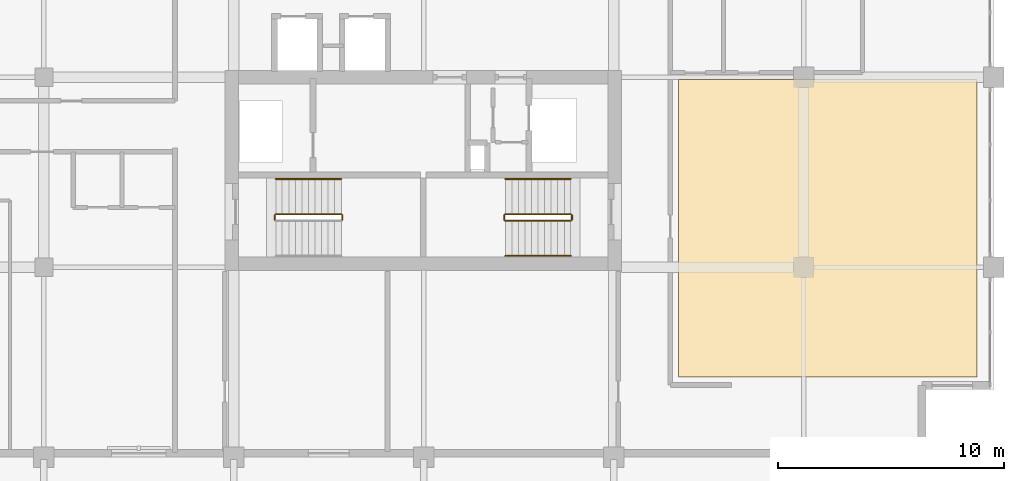
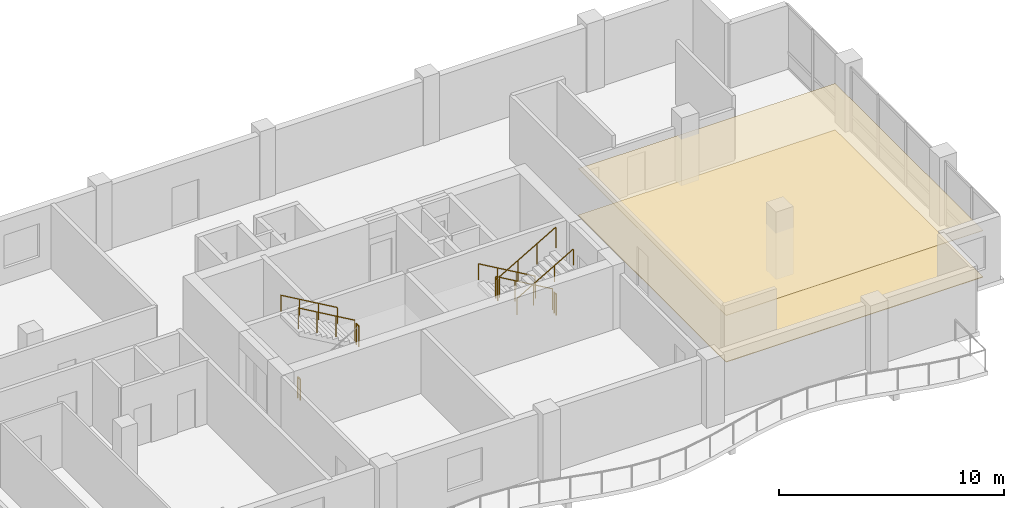
# One storey, part 14 of 16: 10 railings, 2 coverings.
"""IFC4 building model written with IfcOpenShell, lengths in metres."""

from ifc_helpers import new_model, si_unit, direction, frame, origin, origin_2d, place, context, subcontext, project, spatial, polyline, circle, outline, extrude, material, layer, layer_set, type_object, element, save


model = new_model("IFC4")

# Units and contexts
model_context = context("Model", 3, precision=1e-05, world=origin(), true_north=direction((0.0, 1.0)))
body_context = subcontext(model_context, "Body", "Model", "MODEL_VIEW")
ifc_project = project(units=[si_unit("LENGTHUNIT", "METRE"), si_unit("AREAUNIT", "SQUARE_METRE"), si_unit("VOLUMEUNIT", "CUBIC_METRE"), si_unit("PLANEANGLEUNIT", "RADIAN"), si_unit("MASSUNIT", "GRAM", prefix="KILO")], contexts=[model_context])

# Site, building, storey
site_placement = place(None, origin())
site = spatial("IfcSite", under=ifc_project, at=site_placement, CompositionType="ELEMENT")
building_placement = place(site_placement, origin())
building = spatial("IfcBuilding", under=site, at=building_placement, Name="Koriwani Terraces Tower", CompositionType="ELEMENT")
storey_placement = place(building_placement, frame((0.0, 0.0, 260.10009765625)))
storey = spatial("IfcBuildingStorey", under=building, at=storey_placement, Name="L64", CompositionType="ELEMENT", Elevation=260.10009765625)

# Coverings
ifc_material_1 = material(Name="Fire-Rated Acoustic Gypsum Partition", Category="masonry")
ifc_layer_1 = layer(ifc_material_1, 0.02490234375, Name="Fire-Rated Acoustic Gypsum Partition")
ifc_layer_set_1 = layer_set([ifc_layer_1], Name="Fire-Rated Acoustic Gypsum Partition")
covering_type_1 = type_object("IfcCoveringType", Name="CEILING_ACOUSTIC_GYPSUM", PredefinedType="CEILING", material=ifc_layer_set_1)
covering_1_placement = place(storey_placement, frame((0.0, 0.0, 2.52490234375)))
element("IfcCovering", 1, at=covering_1_placement, inside=storey, type_object=covering_type_1, Name="L64 Suspended Acoustic Gypsum Ceiling", PredefinedType="CEILING", context=body_context, shape_type="SweptSolid", body=[
    extrude(outline(polyline([(61.64990234375, 11.949951171875), (61.64990234375, 25.10009765625), (74.85009765625, 25.10009765625), (74.85009765625, 11.949951171875), (61.64990234375, 11.949951171875)])), origin(), (0.0, 0.0, 1.0), 0.02490234375),
])
ifc_material_2 = material(Name="Polished Andean Slate Flooring", Category="masonry")
ifc_layer_2 = layer(ifc_material_2, 0.030029296875, Name="Polished Andean Slate Flooring")
ifc_layer_set_2 = layer_set([ifc_layer_2], Name="Polished Andean Slate Flooring")
covering_type_2 = type_object("IfcCoveringType", Name="FLOORING_ANDEAN_STONE", PredefinedType="FLOORING", material=ifc_layer_set_2)
covering_2_placement = place(storey_placement, origin())
element("IfcCovering", 2, at=covering_2_placement, inside=storey, type_object=covering_type_2, Name="L64 Polished Andean Slate Floor Finish", PredefinedType="FLOORING", context=body_context, shape_type="SweptSolid", body=[
    extrude(outline(polyline([(61.64990234375, 11.949951171875), (61.64990234375, 25.10009765625), (74.85009765625, 25.10009765625), (74.85009765625, 11.949951171875), (61.64990234375, 11.949951171875)])), origin(), (0.0, 0.0, 1.0), 0.02978515625),
])

# Railings
ifc_material_3 = material(Name="Steel ASTM A572 Grade 50", Category="steel")
railing_type_1 = type_object("IfcRailingType", Name="GUARD_STAIR_WELL_1120", PredefinedType="GUARDRAIL", material=ifc_material_3)
railing_1_placement = place(storey_placement, frame((46.800048828125, 18.89990234375, 1.849853515625)))
element("IfcRailing", 3, at=railing_1_placement, inside=storey, type_object=railing_type_1, Name="L64 ST-E1 stair guard 2", PredefinedType="GUARDRAIL", context=body_context, shape_type="SweptSolid", body=[
    extrude(circle(Radius=0.02392578125, at=origin_2d()), frame((0.0, 0.0, 1.1259765625), z_axis=(0.0, 1.0, 0.0), x_axis=(-1.0, 0.0, 0.0)), (0.0, 0.0, 1.0), 0.2001953125),
    extrude(circle(Radius=0.02099609375, at=origin_2d()), origin(), (0.0, 0.0, 1.0), 1.101806640625),
    extrude(circle(Radius=0.02099609375, at=origin_2d()), frame((0.0, 0.2001953125, 0.0)), (0.0, 0.0, 1.0), 1.101806640625),
])
railing_2_placement = place(storey_placement, frame((46.75, 19.14990234375, 2.01806640625)))
element("IfcRailing", 4, at=railing_2_placement, inside=storey, type_object=railing_type_1, Name="L64 ST-E1 stair guard 3", PredefinedType="GUARDRAIL", context=body_context, shape_type="SweptSolid", body=[
    extrude(circle(Radius=0.02392578125, at=origin_2d()), frame((0.0, 0.0, 1.1259765625), z_axis=(-0.865038774852, 0.0, 0.501705010941), x_axis=(0.0, -1.0, 0.0)), (0.0, 0.0, 1.0), 3.352294921875),
    extrude(circle(Radius=0.02099609375, at=origin_2d()), origin(), (0.0, 0.0, 1.0), 1.101806640625),
    extrude(circle(Radius=0.02099609375, at=origin_2d()), frame((-0.966552734375, 0.0, 0.560546875)), (0.0, 0.0, 1.0), 1.101806640625),
    extrude(circle(Radius=0.02099609375, at=origin_2d()), frame((-1.933349609375, 0.0, 1.121337890625)), (0.0, 0.0, 1.0), 1.101806640625),
    extrude(circle(Radius=0.02099609375, at=origin_2d()), frame((-2.89990234375, 0.0, 1.681884765625)), (0.0, 0.0, 1.0), 1.101806640625),
])
railing_3_placement = place(storey_placement, frame((43.800048828125, 18.89990234375, 0.0)))
element("IfcRailing", 5, at=railing_3_placement, inside=storey, type_object=railing_type_1, Name="L64 ST-E1 stair guard 4", PredefinedType="GUARDRAIL", context=body_context, shape_type="SweptSolid", body=[
    extrude(circle(Radius=0.02392578125, at=origin_2d()), frame((0.0, 0.0, 1.1259765625), z_axis=(0.0, 1.0, 0.0), x_axis=(-1.0, 0.0, 0.0)), (0.0, 0.0, 1.0), 0.2001953125),
    extrude(circle(Radius=0.02099609375, at=origin_2d()), origin(), (0.0, 0.0, 1.0), 1.101806640625),
    extrude(circle(Radius=0.02099609375, at=origin_2d()), frame((0.0, 0.2001953125, 0.0)), (0.0, 0.0, 1.0), 1.101806640625),
])
railing_4_placement = place(storey_placement, frame((56.89990234375, 19.14990234375, 0.16796875)))
element("IfcRailing", 6, at=railing_4_placement, inside=storey, type_object=railing_type_1, Name="L64 ST-E2 stair guard 1", PredefinedType="GUARDRAIL", context=body_context, shape_type="SweptSolid", body=[
    extrude(circle(Radius=0.02392578125, at=origin_2d()), frame((0.0, 0.0, 1.1259765625), z_axis=(-0.865038774852, 0.0, 0.501705010941), x_axis=(0.0, -1.0, 0.0)), (0.0, 0.0, 1.0), 3.352294921875),
    extrude(circle(Radius=0.02099609375, at=origin_2d()), origin(), (0.0, 0.0, 1.0), 1.101806640625),
    extrude(circle(Radius=0.02099609375, at=origin_2d()), frame((-0.966552734375, 0.0, 0.560546875)), (0.0, 0.0, 1.0), 1.101806640625),
    extrude(circle(Radius=0.02099609375, at=origin_2d()), frame((-1.933349609375, 0.0, 1.121337890625)), (0.0, 0.0, 1.0), 1.101806640625),
    extrude(circle(Radius=0.02099609375, at=origin_2d()), frame((-2.89990234375, 0.0, 1.681884765625)), (0.0, 0.0, 1.0), 1.101806640625),
])
railing_5_placement = place(storey_placement, frame((53.949951171875, 19.10009765625, 1.849853515625)))
element("IfcRailing", 7, at=railing_5_placement, inside=storey, type_object=railing_type_1, Name="L64 ST-E2 stair guard 2", PredefinedType="GUARDRAIL", context=body_context, shape_type="SweptSolid", body=[
    extrude(circle(Radius=0.02392578125, at=origin_2d()), frame((0.0, 0.0, 1.1259765625), z_axis=(0.0, -1.0, 0.0), x_axis=(1.0, 0.0, 0.0)), (0.0, 0.0, 1.0), 0.2001953125),
    extrude(circle(Radius=0.02099609375, at=origin_2d()), origin(), (0.0, 0.0, 1.0), 1.101806640625),
    extrude(circle(Radius=0.02099609375, at=origin_2d()), frame((0.0, -0.2001953125, 0.0)), (0.0, 0.0, 1.0), 1.101806640625),
])
railing_6_placement = place(storey_placement, frame((54.0, 18.85009765625, 2.01806640625)))
element("IfcRailing", 8, at=railing_6_placement, inside=storey, type_object=railing_type_1, Name="L64 ST-E2 stair guard 3", PredefinedType="GUARDRAIL", context=body_context, shape_type="SweptSolid", body=[
    extrude(circle(Radius=0.02392578125, at=origin_2d()), frame((0.0, 0.0, 1.1259765625), z_axis=(0.865038774852, 0.0, 0.501705010941), x_axis=(0.0, 1.0, 0.0)), (0.0, 0.0, 1.0), 3.352294921875),
    extrude(circle(Radius=0.02099609375, at=origin_2d()), origin(), (0.0, 0.0, 1.0), 1.101806640625),
    extrude(circle(Radius=0.02099609375, at=origin_2d()), frame((0.966552734375, 0.0, 0.560546875)), (0.0, 0.0, 1.0), 1.101806640625),
    extrude(circle(Radius=0.02099609375, at=origin_2d()), frame((1.933349609375, 0.0, 1.121337890625)), (0.0, 0.0, 1.0), 1.101806640625),
    extrude(circle(Radius=0.02099609375, at=origin_2d()), frame((2.89990234375, 0.0, 1.681884765625)), (0.0, 0.0, 1.0), 1.101806640625),
])
railing_7_placement = place(storey_placement, frame((56.949951171875, 19.10009765625, 0.0)))
element("IfcRailing", 9, at=railing_7_placement, inside=storey, type_object=railing_type_1, Name="L64 ST-E2 stair guard 4", PredefinedType="GUARDRAIL", context=body_context, shape_type="SweptSolid", body=[
    extrude(circle(Radius=0.02392578125, at=origin_2d()), frame((0.0, 0.0, 1.1259765625), z_axis=(0.0, -1.0, 0.0), x_axis=(1.0, 0.0, 0.0)), (0.0, 0.0, 1.0), 0.2001953125),
    extrude(circle(Radius=0.02099609375, at=origin_2d()), origin(), (0.0, 0.0, 1.0), 1.101806640625),
    extrude(circle(Radius=0.02099609375, at=origin_2d()), frame((0.0, -0.2001953125, 0.0)), (0.0, 0.0, 1.0), 1.101806640625),
])
railing_type_2 = type_object("IfcRailingType", Name="HANDRAIL_STAIR_920", PredefinedType="HANDRAIL", material=ifc_material_3)
for number, where, name in (
    (10, (46.75, 20.699951171875, 2.01806640625), "L64 ST-E1 stair handrail 2"),
    (11, (56.89990234375, 20.699951171875, 0.16796875), "L64 ST-E2 stair handrail 1"),
):
    element("IfcRailing", number, at=place(storey_placement, frame(where)), inside=storey, type_object=railing_type_2, Name=name, PredefinedType="HANDRAIL", context=body_context, shape_type="SweptSolid", body=[
        extrude(circle(Radius=0.02392578125, at=origin_2d()), frame((0.0, 0.0, 0.8759765625), z_axis=(-0.865038774852, 0.0, 0.501705010941), x_axis=(0.0, -1.0, 0.0)), (0.0, 0.0, 1.0), 3.352294921875),
        extrude(circle(Radius=0.02099609375, at=origin_2d()), origin(), (0.0, 0.0, 1.0), 0.851806640625),
        extrude(circle(Radius=0.02099609375, at=origin_2d()), frame((-0.966552734375, 0.0, 0.560546875)), (0.0, 0.0, 1.0), 0.851806640625),
        extrude(circle(Radius=0.02099609375, at=origin_2d()), frame((-1.933349609375, 0.0, 1.121337890625)), (0.0, 0.0, 1.0), 0.851806640625),
        extrude(circle(Radius=0.02099609375, at=origin_2d()), frame((-2.89990234375, 0.0, 1.681884765625)), (0.0, 0.0, 1.0), 0.851806640625),
    ])
railing_8_placement = place(storey_placement, frame((54.0, 17.300048828125, 2.01806640625)))
element("IfcRailing", 12, at=railing_8_placement, inside=storey, type_object=railing_type_2, Name="L64 ST-E2 stair handrail 2", PredefinedType="HANDRAIL", context=body_context, shape_type="SweptSolid", body=[
    extrude(circle(Radius=0.02392578125, at=origin_2d()), frame((0.0, 0.0, 0.8759765625), z_axis=(0.865038774852, 0.0, 0.501705010941), x_axis=(0.0, 1.0, 0.0)), (0.0, 0.0, 1.0), 3.352294921875),
    extrude(circle(Radius=0.02099609375, at=origin_2d()), origin(), (0.0, 0.0, 1.0), 0.851806640625),
    extrude(circle(Radius=0.02099609375, at=origin_2d()), frame((0.966552734375, 0.0, 0.560546875)), (0.0, 0.0, 1.0), 0.851806640625),
    extrude(circle(Radius=0.02099609375, at=origin_2d()), frame((1.933349609375, 0.0, 1.121337890625)), (0.0, 0.0, 1.0), 0.851806640625),
    extrude(circle(Radius=0.02099609375, at=origin_2d()), frame((2.89990234375, 0.0, 1.681884765625)), (0.0, 0.0, 1.0), 0.851806640625),
])

save(model, "model.ifc")
